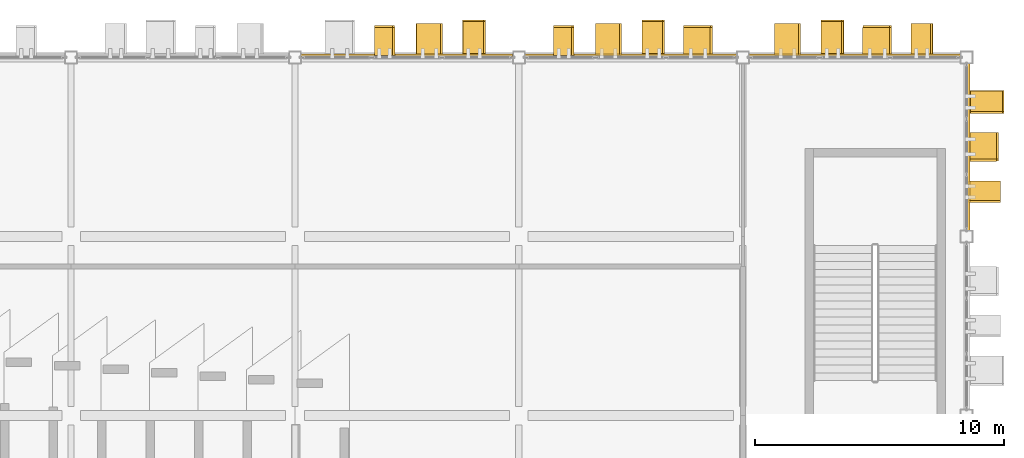
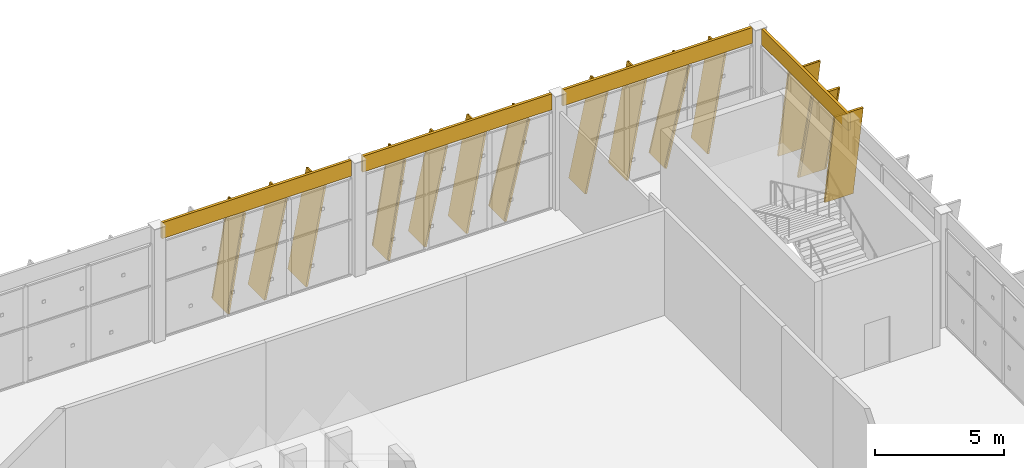
# One storey, part 189 of 189: 18 coverings, 14 shading devices.
"""IFC4 building model written with IfcOpenShell, lengths in metres."""

from ifc_helpers import new_model, si_unit, direction, frame, origin, origin_2d, place, context, subcontext, project, spatial, rectangle, extrude, material, layer, layer_set, material_profile, profile_set, type_object, element, save


model = new_model("IFC4")

# Units and contexts
model_context = context("Model", 3, precision=1e-05, world=origin(), true_north=direction((0.0, 1.0)))
body_context = subcontext(model_context, "Body", "Model", "MODEL_VIEW")
ifc_project = project(units=[si_unit("LENGTHUNIT", "METRE"), si_unit("AREAUNIT", "SQUARE_METRE"), si_unit("VOLUMEUNIT", "CUBIC_METRE"), si_unit("PLANEANGLEUNIT", "RADIAN"), si_unit("MASSUNIT", "GRAM", prefix="KILO")], contexts=[model_context])

# Site, building, storey
site_placement = place(None, origin())
site = spatial("IfcSite", under=ifc_project, at=site_placement, CompositionType="ELEMENT")
building_placement = place(site_placement, origin())
building = spatial("IfcBuilding", under=site, at=building_placement, Name="Celestram Park Convention Centre", CompositionType="ELEMENT")
storey_placement = place(building_placement, frame((0.0, 0.0, 5.39990234375)))
storey = spatial("IfcBuildingStorey", under=building, at=storey_placement, Name="L01", CompositionType="ELEMENT", Elevation=5.39990234375)

# Coverings
ifc_material_1 = material(Name="Anodised Bronze Aluminium Spandrel Cladding", Category="aluminium")
ifc_layer = layer(ifc_material_1, 0.050048828125)
ifc_layer_set = layer_set([ifc_layer], Name="Anodised Bronze Aluminium Spandrel Cladding")
covering_type_1 = type_object("IfcCoveringType", Name="ARC-COV-CLD060", PredefinedType="CLADDING", material=ifc_layer_set)
for number, where, z_axis, x_axis, name in (
    (1, (193.5, 165.679931640625, 4.64404296875), (0.0, 0.0, 1.0), (1.0, 0.0, 0.0), "Bronze spandrel cladding CL-L01-072"),
    (2, (202.5, 165.679931640625, 4.64404296875), (0.0, 0.0, 1.0), (1.0, 0.0, 0.0), "Bronze spandrel cladding CL-L01-073"),
    (3, (211.5, 165.679931640625, 4.64404296875), (0.0, 0.0, 1.0), (1.0, 0.0, 0.0), "Bronze spandrel cladding CL-L01-074"),
):
    element("IfcCovering", number, at=place(storey_placement, frame(where, z_axis=z_axis, x_axis=x_axis)), inside=storey, type_object=covering_type_1, Name=name, PredefinedType="CLADDING", context=body_context, shape_type="SweptSolid", body=[
        extrude(rectangle(XDim=8.50390625, YDim=0.1201171875, at=origin_2d()), origin(), (0.0, 0.0, 1.0), 0.756103515625),
    ])
covering_1_placement = place(storey_placement, frame((216.080078125, 162.0, 4.64404296875), z_axis=(0.0, 0.0, 1.0), x_axis=(0.0, -1.0, 0.0)))
element("IfcCovering", 4, at=covering_1_placement, inside=storey, type_object=covering_type_1, Name="Bronze spandrel cladding CL-L01-075", PredefinedType="CLADDING", context=body_context, shape_type="SweptSolid", body=[
    extrude(rectangle(XDim=6.7041015625, YDim=0.1201171875, at=origin_2d()), origin(), (0.0, 0.0, 1.0), 0.756103515625),
])
ifc_material_2 = material(Name="Timber-Toned Anodised Aluminium Alloy 6063-T6", Category="wood")
ifc_material_profile_1 = material_profile(ifc_material_2, rectangle(XDim=1.1201171875, YDim=0.090087890625, at=origin_2d()), Name="REED1120X90")
ifc_profile_set_1 = profile_set([ifc_material_profile_1], Name="Timber-Toned Anodised Aluminium Alloy 6063-T6")
covering_type_2 = type_object("IfcCoveringType", Name="ARC-COV-FIN1120", PredefinedType="CLADDING", material=ifc_profile_set_1)
for number, where, z_axis, x_axis, name in (
    (5, (192.231201171875, 166.239990234375, 0.034912109375), (0.159857948369, 0.0, 0.987140028741), (0.0, 1.0, 0.0), "Leaning timber-toned reed fin RFN-L01-0209"),
    (6, (199.43115234375, 166.239990234375, 0.034912109375), (0.159857948369, 0.0, 0.987140028741), (0.0, 1.0, 0.0), "Leaning timber-toned reed fin RFN-L01-0212"),
):
    element("IfcCovering", number, at=place(storey_placement, frame(where, z_axis=z_axis, x_axis=x_axis)), inside=storey, type_object=covering_type_2, Name=name, PredefinedType="CLADDING", context=body_context, shape_type="SweptSolid", body=[
        extrude(rectangle(XDim=1.1201171875, YDim=0.090087890625, at=origin_2d()), origin(), (0.0, 0.0, 1.0), 4.61376953125),
    ])
covering_2_placement = place(storey_placement, frame((204.665283203125, 166.239990234375, 0.06787109375), z_axis=(0.231751668114, 0.0, 0.972774981343), x_axis=(0.0, 1.0, 0.0)))
element("IfcCovering", 7, at=covering_2_placement, inside=storey, type_object=covering_type_2, Name="Leaning timber-toned reed fin RFN-L01-0215", PredefinedType="CLADDING", context=body_context, shape_type="SweptSolid", body=[
    extrude(rectangle(XDim=1.1201171875, YDim=0.090087890625, at=origin_2d()), origin(), (0.0, 0.0, 1.0), 4.6142578125),
])
covering_3_placement = place(storey_placement, frame((211.865478515625, 166.239990234375, 0.06787109375), z_axis=(0.23170159766, 0.0, 0.97278690865), x_axis=(0.0, 1.0, 0.0)))
element("IfcCovering", 8, at=covering_3_placement, inside=storey, type_object=covering_type_2, Name="Leaning timber-toned reed fin RFN-L01-0218", PredefinedType="CLADDING", context=body_context, shape_type="SweptSolid", body=[
    extrude(rectangle(XDim=1.1201171875, YDim=0.090087890625, at=origin_2d()), origin(), (0.0, 0.0, 1.0), 4.614013671875),
])
covering_4_placement = place(storey_placement, frame((216.639892578125, 162.53466796875, 0.06787109375), z_axis=(0.0, -0.231751668114, 0.972774981343), x_axis=(1.0, 0.0, 0.0)))
element("IfcCovering", 9, at=covering_4_placement, inside=storey, type_object=covering_type_2, Name="Leaning timber-toned reed fin RFN-L01-0221", PredefinedType="CLADDING", context=body_context, shape_type="SweptSolid", body=[
    extrude(rectangle(XDim=1.1201171875, YDim=0.090087890625, at=origin_2d()), origin(), (0.0, 0.0, 1.0), 4.6142578125),
])
ifc_material_profile_2 = material_profile(ifc_material_2, rectangle(XDim=1.280029296875, YDim=0.090087890625, at=origin_2d()), Name="REED1280X90")
ifc_profile_set_2 = profile_set([ifc_material_profile_2], Name="Timber-Toned Anodised Aluminium Alloy 6063-T6")
covering_type_3 = type_object("IfcCoveringType", Name="ARC-COV-FIN1280", PredefinedType="CLADDING", material=ifc_profile_set_2)
for number, where, z_axis, x_axis, name in (
    (10, (193.91650390625, 166.320068359375, 0.056396484375), (0.209590519643, 0.0, 0.977789248292), (0.0, 1.0, 0.0), "Leaning timber-toned reed fin RFN-L01-0210"),
    (11, (201.116455078125, 166.320068359375, 0.056396484375), (0.209590519643, 0.0, 0.977789248292), (0.0, 1.0, 0.0), "Leaning timber-toned reed fin RFN-L01-0213"),
    (12, (208.31640625, 166.320068359375, 0.056396484375), (0.209641107943, 0.0, 0.977778403249), (0.0, 1.0, 0.0), "Leaning timber-toned reed fin RFN-L01-0216"),
    (13, (213.807373046875, 166.320068359375, 0.038818359375), (0.170222310594, 0.0, 0.98540568548), (0.0, 1.0, 0.0), "Leaning timber-toned reed fin RFN-L01-0219"),
    (14, (216.719970703125, 160.5927734375, 0.038818359375), (0.0, -0.170222310594, 0.98540568548), (1.0, 0.0, 0.0), "Leaning timber-toned reed fin RFN-L01-0222"),
):
    element("IfcCovering", number, at=place(storey_placement, frame(where, z_axis=z_axis, x_axis=x_axis)), inside=storey, type_object=covering_type_3, Name=name, PredefinedType="CLADDING", context=body_context, shape_type="SweptSolid", body=[
        extrude(rectangle(XDim=1.280029296875, YDim=0.090087890625, at=origin_2d()), origin(), (0.0, 0.0, 1.0), 4.614013671875),
    ])
ifc_material_profile_3 = material_profile(ifc_material_2, rectangle(XDim=1.419921875, YDim=0.090087890625, at=origin_2d()), Name="REED1420X90")
ifc_profile_set_3 = profile_set([ifc_material_profile_3], Name="Timber-Toned Anodised Aluminium Alloy 6063-T6")
covering_type_4 = type_object("IfcCoveringType", Name="ARC-COV-FIN1420", PredefinedType="CLADDING", material=ifc_profile_set_3)
for number, where, z_axis, x_axis, name in (
    (15, (195.783447265625, 166.389892578125, 0.04296875), (0.180533481126, 0.0, 0.98356883958), (0.0, 1.0, 0.0), "Leaning timber-toned reed fin RFN-L01-0211"),
    (16, (202.9833984375, 166.389892578125, 0.04296875), (0.180533481126, 0.0, 0.98356883958), (0.0, 1.0, 0.0), "Leaning timber-toned reed fin RFN-L01-0214"),
    (17, (210.18359375, 166.389892578125, 0.04296875), (0.180533481126, 0.0, 0.98356883958), (0.0, 1.0, 0.0), "Leaning timber-toned reed fin RFN-L01-0217"),
    (18, (216.7900390625, 164.216552734375, 0.04296875), (0.0, -0.180533481126, 0.98356883958), (1.0, 0.0, 0.0), "Leaning timber-toned reed fin RFN-L01-0220"),
):
    element("IfcCovering", number, at=place(storey_placement, frame(where, z_axis=z_axis, x_axis=x_axis)), inside=storey, type_object=covering_type_4, Name=name, PredefinedType="CLADDING", context=body_context, shape_type="SweptSolid", body=[
        extrude(rectangle(XDim=1.419921875, YDim=0.090087890625, at=origin_2d()), origin(), (0.0, 0.0, 1.0), 4.6142578125),
    ])

# Shading devices
ifc_material_3 = material(Name="Anodised Bronze Aluminium Alloy 6063-T6", Category="aluminium")
ifc_material_profile_4 = material_profile(ifc_material_3, rectangle(XDim=1.280029296875, YDim=0.080078125, at=origin_2d()), Name="FIN1280X80")
ifc_profile_set_4 = profile_set([ifc_material_profile_4], Name="Anodised Bronze Aluminium Alloy 6063-T6")
shading_device_type = type_object("IfcShadingDeviceType", Name="ARC-FIN-BZ1280", PredefinedType="USERDEFINED", material=ifc_profile_set_4)
shading_device_1_placement = place(storey_placement, frame((192.231201171875, 166.239990234375, 0.034912109375), z_axis=(0.159857948369, 0.0, 0.987140028741), x_axis=(0.0, 1.0, 0.0)))
element("IfcShadingDevice", 19, at=shading_device_1_placement, inside=storey, type_object=shading_device_type, Name="Expressive solar fin FN-L01-0209", ObjectType="SOLAR_FIN", PredefinedType="USERDEFINED", context=body_context, shape_type="SweptSolid", body=[
    extrude(rectangle(XDim=1.280029296875, YDim=0.080078125, at=origin_2d()), origin(), (0.0, 0.0, 1.0), 4.61376953125),
])
shading_device_2_placement = place(storey_placement, frame((193.91650390625, 166.320068359375, 0.056396484375), z_axis=(0.209590519643, 0.0, 0.977789248292), x_axis=(0.0, 1.0, 0.0)))
element("IfcShadingDevice", 20, at=shading_device_2_placement, inside=storey, type_object=shading_device_type, Name="Expressive solar fin FN-L01-0210", ObjectType="SOLAR_FIN", PredefinedType="USERDEFINED", context=body_context, shape_type="SweptSolid", body=[
    extrude(rectangle(XDim=1.280029296875, YDim=0.080078125, at=origin_2d()), origin(), (0.0, 0.0, 1.0), 4.614013671875),
])
shading_device_3_placement = place(storey_placement, frame((195.783447265625, 166.389892578125, 0.04296875), z_axis=(0.180533481126, 0.0, 0.98356883958), x_axis=(0.0, 1.0, 0.0)))
element("IfcShadingDevice", 21, at=shading_device_3_placement, inside=storey, type_object=shading_device_type, Name="Expressive solar fin FN-L01-0211", ObjectType="SOLAR_FIN", PredefinedType="USERDEFINED", context=body_context, shape_type="SweptSolid", body=[
    extrude(rectangle(XDim=1.280029296875, YDim=0.080078125, at=origin_2d()), origin(), (0.0, 0.0, 1.0), 4.6142578125),
])
shading_device_4_placement = place(storey_placement, frame((199.43115234375, 166.239990234375, 0.034912109375), z_axis=(0.159857948369, 0.0, 0.987140028741), x_axis=(0.0, 1.0, 0.0)))
element("IfcShadingDevice", 22, at=shading_device_4_placement, inside=storey, type_object=shading_device_type, Name="Expressive solar fin FN-L01-0212", ObjectType="SOLAR_FIN", PredefinedType="USERDEFINED", context=body_context, shape_type="SweptSolid", body=[
    extrude(rectangle(XDim=1.280029296875, YDim=0.080078125, at=origin_2d()), origin(), (0.0, 0.0, 1.0), 4.61376953125),
])
shading_device_5_placement = place(storey_placement, frame((201.116455078125, 166.320068359375, 0.056396484375), z_axis=(0.209590519643, 0.0, 0.977789248292), x_axis=(0.0, 1.0, 0.0)))
element("IfcShadingDevice", 23, at=shading_device_5_placement, inside=storey, type_object=shading_device_type, Name="Expressive solar fin FN-L01-0213", ObjectType="SOLAR_FIN", PredefinedType="USERDEFINED", context=body_context, shape_type="SweptSolid", body=[
    extrude(rectangle(XDim=1.280029296875, YDim=0.080078125, at=origin_2d()), origin(), (0.0, 0.0, 1.0), 4.614013671875),
])
for number, where, z_axis, x_axis, name in (
    (24, (202.9833984375, 166.389892578125, 0.04296875), (0.180533481126, 0.0, 0.98356883958), (0.0, 1.0, 0.0), "Expressive solar fin FN-L01-0214"),
    (25, (204.665283203125, 166.239990234375, 0.06787109375), (0.231751668114, 0.0, 0.972774981343), (0.0, 1.0, 0.0), "Expressive solar fin FN-L01-0215"),
):
    element("IfcShadingDevice", number, at=place(storey_placement, frame(where, z_axis=z_axis, x_axis=x_axis)), inside=storey, type_object=shading_device_type, Name=name, ObjectType="SOLAR_FIN", PredefinedType="USERDEFINED", context=body_context, shape_type="SweptSolid", body=[
        extrude(rectangle(XDim=1.280029296875, YDim=0.080078125, at=origin_2d()), origin(), (0.0, 0.0, 1.0), 4.6142578125),
    ])
shading_device_6_placement = place(storey_placement, frame((208.31640625, 166.320068359375, 0.056396484375), z_axis=(0.209641107943, 0.0, 0.977778403249), x_axis=(0.0, 1.0, 0.0)))
element("IfcShadingDevice", 26, at=shading_device_6_placement, inside=storey, type_object=shading_device_type, Name="Expressive solar fin FN-L01-0216", ObjectType="SOLAR_FIN", PredefinedType="USERDEFINED", context=body_context, shape_type="SweptSolid", body=[
    extrude(rectangle(XDim=1.280029296875, YDim=0.080078125, at=origin_2d()), origin(), (0.0, 0.0, 1.0), 4.614013671875),
])
shading_device_7_placement = place(storey_placement, frame((210.18359375, 166.389892578125, 0.04296875), z_axis=(0.180533481126, 0.0, 0.98356883958), x_axis=(0.0, 1.0, 0.0)))
element("IfcShadingDevice", 27, at=shading_device_7_placement, inside=storey, type_object=shading_device_type, Name="Expressive solar fin FN-L01-0217", ObjectType="SOLAR_FIN", PredefinedType="USERDEFINED", context=body_context, shape_type="SweptSolid", body=[
    extrude(rectangle(XDim=1.280029296875, YDim=0.080078125, at=origin_2d()), origin(), (0.0, 0.0, 1.0), 4.6142578125),
])
for number, where, z_axis, x_axis, name in (
    (28, (211.865478515625, 166.239990234375, 0.06787109375), (0.23170159766, 0.0, 0.97278690865), (0.0, 1.0, 0.0), "Expressive solar fin FN-L01-0218"),
    (29, (213.807373046875, 166.320068359375, 0.038818359375), (0.170222310594, 0.0, 0.98540568548), (0.0, 1.0, 0.0), "Expressive solar fin FN-L01-0219"),
):
    element("IfcShadingDevice", number, at=place(storey_placement, frame(where, z_axis=z_axis, x_axis=x_axis)), inside=storey, type_object=shading_device_type, Name=name, ObjectType="SOLAR_FIN", PredefinedType="USERDEFINED", context=body_context, shape_type="SweptSolid", body=[
        extrude(rectangle(XDim=1.280029296875, YDim=0.080078125, at=origin_2d()), origin(), (0.0, 0.0, 1.0), 4.614013671875),
    ])
for number, where, z_axis, x_axis, name in (
    (30, (216.7900390625, 164.216552734375, 0.04296875), (0.0, -0.180533481126, 0.98356883958), (1.0, 0.0, 0.0), "Expressive solar fin FN-L01-0220"),
    (31, (216.639892578125, 162.53466796875, 0.06787109375), (0.0, -0.231751668114, 0.972774981343), (1.0, 0.0, 0.0), "Expressive solar fin FN-L01-0221"),
):
    element("IfcShadingDevice", number, at=place(storey_placement, frame(where, z_axis=z_axis, x_axis=x_axis)), inside=storey, type_object=shading_device_type, Name=name, ObjectType="SOLAR_FIN", PredefinedType="USERDEFINED", context=body_context, shape_type="SweptSolid", body=[
        extrude(rectangle(XDim=1.280029296875, YDim=0.080078125, at=origin_2d()), origin(), (0.0, 0.0, 1.0), 4.6142578125),
    ])
shading_device_8_placement = place(storey_placement, frame((216.719970703125, 160.5927734375, 0.038818359375), z_axis=(0.0, -0.170222310594, 0.98540568548), x_axis=(1.0, 0.0, 0.0)))
element("IfcShadingDevice", 32, at=shading_device_8_placement, inside=storey, type_object=shading_device_type, Name="Expressive solar fin FN-L01-0222", ObjectType="SOLAR_FIN", PredefinedType="USERDEFINED", context=body_context, shape_type="SweptSolid", body=[
    extrude(rectangle(XDim=1.280029296875, YDim=0.080078125, at=origin_2d()), origin(), (0.0, 0.0, 1.0), 4.614013671875),
])

save(model, "model.ifc")
